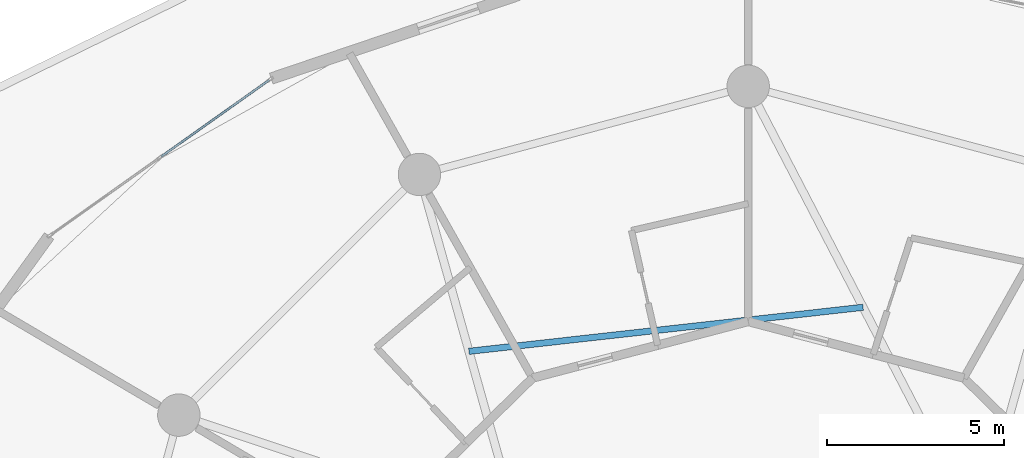
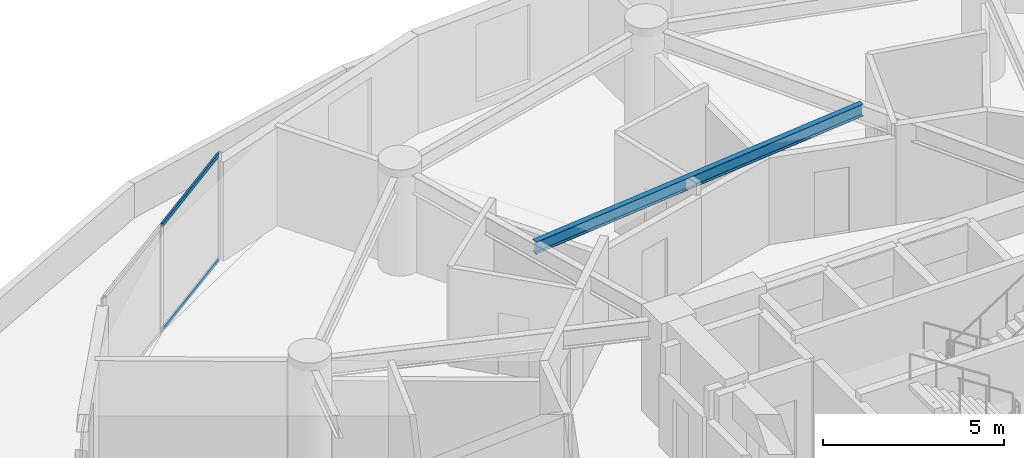
# One storey, part 13 of 25: 2 members, 1 beam, 1 element without a shape of its own.
"""IFC4 building model written with IfcOpenShell, lengths in metres."""

import ifcopenshell
import ifcopenshell.guid

model = None  # the IFC model being written
_history = None  # IfcOwnerHistory: only IFC2X3 demands one
_inside = {}  # id of a spatial element -> (the spatial element, [elements in it])
_under = {}  # id of a project, library or spatial element -> (it, [spatial elements below it])
_declared = {}  # id of a project -> (the project, [libraries it declares])
_typed = {}  # id of a type object -> (the type object, [elements of that type])
_made_of = {}  # id of a material, layer set ... -> (it, [elements and type objects made of it])


def new_model(schema):
    """Start an empty IFC model of exactly this schema.

    Asked for "IFC4X3", IfcOpenShell would pick the latest addendum, in which some entities
    have other attributes; the version numbers below select the first issue.
    IFC2X3 requires an IfcOwnerHistory on every rooted entity: one is made here for all.
    """
    global model, _history
    if schema == "IFC4X3":
        model = ifcopenshell.file(schema_version=(4, 3, 0, 0))
    else:
        model = ifcopenshell.file(schema=schema)
    _inside.clear()
    _under.clear()
    _declared.clear()
    _typed.clear()
    _made_of.clear()
    _history = None
    if model.schema == "IFC2X3":
        org = make("IfcOrganization", Name="unknown")
        user = make(
            "IfcPersonAndOrganization",
            ThePerson=make("IfcPerson", FamilyName="unknown"),
            TheOrganization=org,
        )
        app = make(
            "IfcApplication",
            ApplicationDeveloper=org,
            Version="unknown",
            ApplicationFullName="unknown",
            ApplicationIdentifier="unknown",
        )
        _history = make(
            "IfcOwnerHistory",
            OwningUser=user,
            OwningApplication=app,
            ChangeAction="ADDED",
            CreationDate=0,
        )
    return model


def make(cls, **values):
    """One entity of the class cls with the attributes given. An attribute that is None is left unset."""
    return model.create_entity(
        cls, **{name: value for name, value in values.items() if value is not None}
    )


def rooted(cls, **values):
    """An entity with a GlobalId (a new one), such as an element, a storey or a relation."""
    return make(cls, GlobalId=ifcopenshell.guid.new(), OwnerHistory=_history, **values)


def si_unit(unit_type, name, prefix=None):
    """IfcSIUnit, for example si_unit("LENGTHUNIT", "METRE", prefix="MILLI")."""
    return make("IfcSIUnit", UnitType=unit_type, Prefix=prefix, Name=name)


def assignment(units):
    """IfcUnitAssignment: the units of a project."""
    return None if units is None else make("IfcUnitAssignment", Units=units)


def point(xyz):
    """IfcCartesianPoint."""
    return None if xyz is None else make("IfcCartesianPoint", Coordinates=xyz)


def direction(xyz):
    """IfcDirection."""
    return None if xyz is None else make("IfcDirection", DirectionRatios=xyz)


def frame(location, z_axis=None, x_axis=None):
    """IfcAxis2Placement3D, a coordinate frame: its origin and axes. An axis left out is left unset."""
    return make(
        "IfcAxis2Placement3D",
        Location=point(location),
        Axis=direction(z_axis),
        RefDirection=direction(x_axis),
    )


def frame_2d(location, x_axis=None):
    """IfcAxis2Placement2D, a coordinate frame in the plane: its origin and x axis."""
    return make(
        "IfcAxis2Placement2D", Location=point(location), RefDirection=direction(x_axis)
    )


def origin():
    """The frame at (0, 0, 0) with its axes left unset."""
    return frame((0.0, 0.0, 0.0))


def origin_2d():
    """The frame at (0, 0) in the plane with its x axis left unset."""
    return frame_2d((0.0, 0.0))


def place(relative_to, where):
    """IfcLocalPlacement: puts the frame where relative to a parent placement (None: the world)."""
    return make(
        "IfcLocalPlacement", PlacementRelTo=relative_to, RelativePlacement=where
    )


def context(
    kind, dimensions, precision=None, world=None, true_north=None, identifier=None
):
    """IfcGeometricRepresentationContext, for example the 3D "Model" context."""
    return make(
        "IfcGeometricRepresentationContext",
        ContextIdentifier=identifier,
        ContextType=kind,
        CoordinateSpaceDimension=dimensions,
        Precision=precision,
        WorldCoordinateSystem=world,
        TrueNorth=true_north,
    )


def subcontext(parent, identifier, kind, view, scale=None):
    """IfcGeometricRepresentationSubContext, for example "Body" below "Model"."""
    return make(
        "IfcGeometricRepresentationSubContext",
        ContextIdentifier=identifier,
        ContextType=kind,
        ParentContext=parent,
        TargetScale=scale,
        TargetView=view,
    )


def project(units=None, contexts=None):
    """IfcProject with its units and contexts."""
    return rooted(
        "IfcProject",
        Name="project",
        RepresentationContexts=contexts,
        UnitsInContext=assignment(units),
    )


def spatial(cls, under=None, at=None, **own):
    """A site, building, storey or space (cls), placed at a placement, below another one or the project."""
    s = rooted(cls, ObjectPlacement=at, **own)
    if under is not None:
        _under.setdefault(under.id(), (under, []))[1].append(s)
    return s


def profile(cls, at=None, kind="AREA", **sizes):
    """A parametric profile (cls). Its sizes go by their IFC names, for example OverallWidth=200.0."""
    return make(cls, ProfileType=kind, Position=at, **sizes)


def hollow_rectangle(**sizes):
    """IfcRectangleHollowProfileDef."""
    return profile("IfcRectangleHollowProfileDef", **sizes)


def i_section(**sizes):
    """IfcIShapeProfileDef."""
    return profile("IfcIShapeProfileDef", **sizes)


def extrude(swept, where, along, depth):
    """IfcExtrudedAreaSolid: the profile swept, set in the frame where, extruded along a direction by depth."""
    return make(
        "IfcExtrudedAreaSolid",
        SweptArea=swept,
        Position=where,
        ExtrudedDirection=direction(along),
        Depth=depth,
    )


def shape(context_of_items, identifier, shape_type, items):
    """IfcShapeRepresentation: the items that make up one representation, for example the "Body"."""
    return make(
        "IfcShapeRepresentation",
        ContextOfItems=context_of_items,
        RepresentationIdentifier=identifier,
        RepresentationType=shape_type,
        Items=items,
    )


def source(mapping_origin, context_of_items, identifier, shape_type, items):
    """IfcRepresentationMap: a shape defined once, which mapped items show again and again."""
    return make(
        "IfcRepresentationMap",
        MappingOrigin=mapping_origin,
        MappedRepresentation=shape(context_of_items, identifier, shape_type, items),
    )


def transform(
    local_origin,
    x_axis=None,
    y_axis=None,
    z_axis=None,
    scale=None,
    scale2=None,
    scale3=None,
    uniform=True,
):
    """IfcCartesianTransformationOperator3D, or its non-uniform kind. x_axis, y_axis, z_axis: its Axis1, 2, 3."""
    if uniform:
        return make(
            "IfcCartesianTransformationOperator3D",
            Axis1=direction(x_axis),
            Axis2=direction(y_axis),
            LocalOrigin=point(local_origin),
            Scale=scale,
            Axis3=direction(z_axis),
        )
    return make(
        "IfcCartesianTransformationOperator3DnonUniform",
        Axis1=direction(x_axis),
        Axis2=direction(y_axis),
        LocalOrigin=point(local_origin),
        Scale=scale,
        Axis3=direction(z_axis),
        Scale2=scale2,
        Scale3=scale3,
    )


def mapped(mapping_source, mapping_target):
    """IfcMappedItem: shows the shape of a source again, moved by a transform."""
    return make(
        "IfcMappedItem", MappingSource=mapping_source, MappingTarget=mapping_target
    )


def material(Name=None, Category=None):
    """IfcMaterial."""
    return make("IfcMaterial", Name=Name, Category=Category)


def layer(
    of_material, thickness, ventilated=None, Name=None, Category=None, Priority=None
):
    """IfcMaterialLayer: one layer of a wall or slab, of a material (None: an air gap)."""
    return make(
        "IfcMaterialLayer",
        Material=of_material,
        LayerThickness=thickness,
        IsVentilated=ventilated,
        Name=Name,
        Category=Category,
        Priority=Priority,
    )


def layer_set(layers, Name=None):
    """IfcMaterialLayerSet."""
    return make("IfcMaterialLayerSet", MaterialLayers=layers, LayerSetName=Name)


def material_profile(
    of_material, cross_section, Name=None, Category=None, Priority=None
):
    """IfcMaterialProfile: a cross section and its material."""
    return make(
        "IfcMaterialProfile",
        Name=Name,
        Material=of_material,
        Profile=cross_section,
        Priority=Priority,
        Category=Category,
    )


def profile_set(profiles, Name=None, composite=None):
    """IfcMaterialProfileSet."""
    return make(
        "IfcMaterialProfileSet",
        Name=Name,
        MaterialProfiles=profiles,
        CompositeProfile=composite,
    )


def made_of(thing, what):
    """Note that an element or type object is made of a material, layer set ...; save() writes the relation."""
    if what is not None:
        _made_of.setdefault(what.id(), (what, []))[1].append(thing)
    return thing


def type_object(cls, material=None, **own):
    """A type object (cls), such as IfcWallType, which elements share."""
    return made_of(rooted(cls, **own), material)


def element(
    cls,
    number,
    at=None,
    inside=None,
    cuts=None,
    type_object=None,
    material=None,
    context=None,
    identifier="Body",
    shape_type=None,
    held_by="IfcProductDefinitionShape",
    body=None,
    shapes=None,
    **own,
):
    """One element of the class cls, such as IfcWall. Its Tag is "e" and its number.

    at: its placement. inside: the storey or other place that contains it. cuts: it is an
    opening in that element (IfcRelVoidsElement). A single representation is given by context,
    identifier, shape_type and body (its items); several are given by shapes. held_by: the class
    of the entity that holds the representations. save() writes the other relations.
    """
    e = rooted(cls, Tag="e%d" % number, ObjectPlacement=at, **own)
    if body is not None:
        shapes = [shape(context, identifier, shape_type, body)]
    if shapes is not None:
        e.Representation = make(held_by, Representations=shapes)
    if inside is not None:
        _inside.setdefault(inside.id(), (inside, []))[1].append(e)
    if cuts is not None:
        rooted(
            "IfcRelVoidsElement", RelatingBuildingElement=cuts, RelatedOpeningElement=e
        )
    if type_object is not None:
        _typed.setdefault(type_object.id(), (type_object, []))[1].append(e)
    return made_of(e, material)


def aggregate(whole, parts):
    """IfcRelAggregates: a whole, such as a stair, and the parts it consists of."""
    return rooted("IfcRelAggregates", RelatingObject=whole, RelatedObjects=parts)


def save(model, path):
    """Write the relations noted so far, then the file.

    IfcRelAggregates (storeys below a building ...), IfcRelContainedInSpatialStructure (elements
    in a storey), IfcRelDefinesByType, IfcRelAssociatesMaterial and IfcRelDeclares: one each for
    every whole, place, type object, material and project.
    """
    for whole, parts in _under.values():
        aggregate(whole, parts)
    for where, things in _inside.values():
        rooted(
            "IfcRelContainedInSpatialStructure",
            RelatedElements=things,
            RelatingStructure=where,
        )
    for kind, things in _typed.values():
        rooted("IfcRelDefinesByType", RelatedObjects=things, RelatingType=kind)
    for what, things in _made_of.values():
        rooted("IfcRelAssociatesMaterial", RelatedObjects=things, RelatingMaterial=what)
    for by, libraries in _declared.values():
        rooted("IfcRelDeclares", RelatingContext=by, RelatedDefinitions=libraries)
    model.write(path)


model = new_model("IFC4")

# Units and contexts
model_context = context("Model", 3, precision=1e-05, world=origin(), true_north=direction((0.0, 1.0)))
body_context = subcontext(model_context, "Body", "Model", "MODEL_VIEW")
ifc_project = project(units=[si_unit("LENGTHUNIT", "METRE"), si_unit("AREAUNIT", "SQUARE_METRE"), si_unit("VOLUMEUNIT", "CUBIC_METRE"), si_unit("PLANEANGLEUNIT", "RADIAN"), si_unit("MASSUNIT", "GRAM", prefix="KILO")], contexts=[model_context])

# Site, building, storey
site_placement = place(None, origin())
site = spatial("IfcSite", under=ifc_project, at=site_placement, CompositionType="ELEMENT")
building_placement = place(site_placement, origin())
building = spatial("IfcBuilding", under=site, at=building_placement, Name="Solvirekh Grand Hotel", CompositionType="ELEMENT")
storey_placement = place(building_placement, frame((0.0, 0.0, 28.39990234375)))
storey = spatial("IfcBuildingStorey", under=building, at=storey_placement, Name="L05", CompositionType="ELEMENT", Elevation=28.39990234375)

# Beam
ifc_material_1 = material(Name="Steel S355", Category="steel")
ifc_material_profile_1 = material_profile(ifc_material_1, i_section(OverallWidth=0.177978515625, OverallDepth=0.406982421875, WebThickness=0.008056640625, FlangeThickness=0.011962890625, FilletRadius=0.011962890625, at=origin_2d()), Name="W410X60")
ifc_profile_set_1 = profile_set([ifc_material_profile_1], Name="Steel S355")
beam_type = type_object("IfcBeamType", Name="Joist_Floor_W410", PredefinedType="JOIST", material=ifc_profile_set_1)
beam_placement = place(storey_placement, frame((3.25, 12.35009765625, 3.13720703125), z_axis=(-0.99381294191, -0.111066810937, 0.0), x_axis=(0.111066810937, -0.99381294191, 0.0)))
element("IfcBeam", 1, at=beam_placement, inside=storey, type_object=beam_type, Name="L05 secondary composite floor joist 4", PredefinedType="JOIST", context=body_context, shape_type="SweptSolid", body=[
    extrude(i_section(OverallWidth=0.177978515625, OverallDepth=0.406982421875, WebThickness=0.008056640625, FlangeThickness=0.011962890625, FilletRadius=0.011962890625, at=origin_2d()), origin(), (0.0, 0.0, 1.0), 11.21923828125),
])

# Curtain wall, members
ifc_material_2 = material(Name="Anodized Bronze Aluminium 6063-T6", Category="aluminium")
ifc_layer = layer(ifc_material_2, 0.18994140625)
ifc_layer_set = layer_set([ifc_layer], Name="Anodized Bronze Aluminium 6063-T6")
curtain_wall_type = type_object("IfcCurtainWallType", Name="CW_Sys2_LowZoneFlushBronzeCW", PredefinedType="NOTDEFINED", material=ifc_layer_set)
curtain_wall_placement = place(storey_placement, origin())
curtain_wall = element("IfcCurtainWall", 2, at=curtain_wall_placement, inside=storey, type_object=curtain_wall_type, Name="L05 unitised bronze-glass curtain wall CW-L05-C08", PredefinedType="NOTDEFINED")
ifc_material_profile_2 = material_profile(ifc_material_2, hollow_rectangle(XDim=0.06005859375, YDim=0.135009765625, WallThickness=0.00390625, at=origin_2d()), Name="ALU RHS 135X60X4")
ifc_profile_set_2 = profile_set([ifc_material_profile_2], Name="Anodized Bronze Aluminium 6063-T6")
member_type = type_object("IfcMemberType", Name="CWTransom_Sys2", PredefinedType="USERDEFINED", material=ifc_profile_set_2)
shared_shape = source(origin(), body_context, "Body", "SweptSolid", [
    extrude(hollow_rectangle(XDim=0.06005859375, YDim=0.135009765625, WallThickness=0.00390625, at=origin_2d()), origin(), (0.0, 0.0, 1.0), 3.747314453125),
])
member_1_placement = place(storey_placement, frame((-13.550048828125, 18.780517578125, 0.030029296875), z_axis=(-0.815779839774, -0.57836256191, 0.0), x_axis=(0.57836256191, -0.815779839774, 0.0)))
member_1 = element("IfcMember", 3, at=member_1_placement, type_object=member_type, Name="U02 transom 1.1", ObjectType="TRANSOM", PredefinedType="USERDEFINED", context=body_context, shape_type="MappedRepresentation", body=[
    mapped(shared_shape, transform((0.0, 0.0, 0.0), x_axis=(1.0, 0.0, 0.0), y_axis=(0.0, 1.0, 0.0), z_axis=(0.0, 0.0, 1.0), scale=1.0)),
])
member_2_placement = place(storey_placement, frame((-13.550048828125, 18.780517578125, 3.570068359375), z_axis=(-0.815779839774, -0.57836256191, 0.0), x_axis=(0.57836256191, -0.815779839774, 0.0)))
member_2 = element("IfcMember", 4, at=member_2_placement, type_object=member_type, Name="U02 transom 1.2", ObjectType="TRANSOM", PredefinedType="USERDEFINED", context=body_context, shape_type="MappedRepresentation", body=[
    mapped(shared_shape, transform((0.0, 0.0, 0.0), x_axis=(1.0, 0.0, 0.0), y_axis=(0.0, 1.0, 0.0), z_axis=(0.0, 0.0, 1.0), scale=1.0)),
])
aggregate(curtain_wall, [member_1, member_2])

save(model, "model.ifc")
